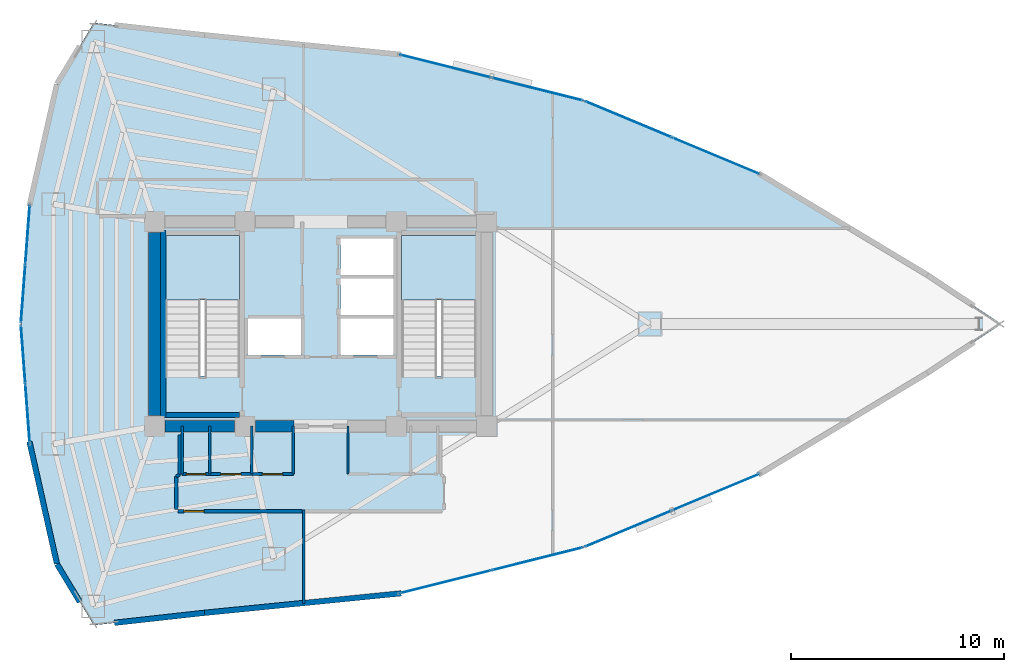
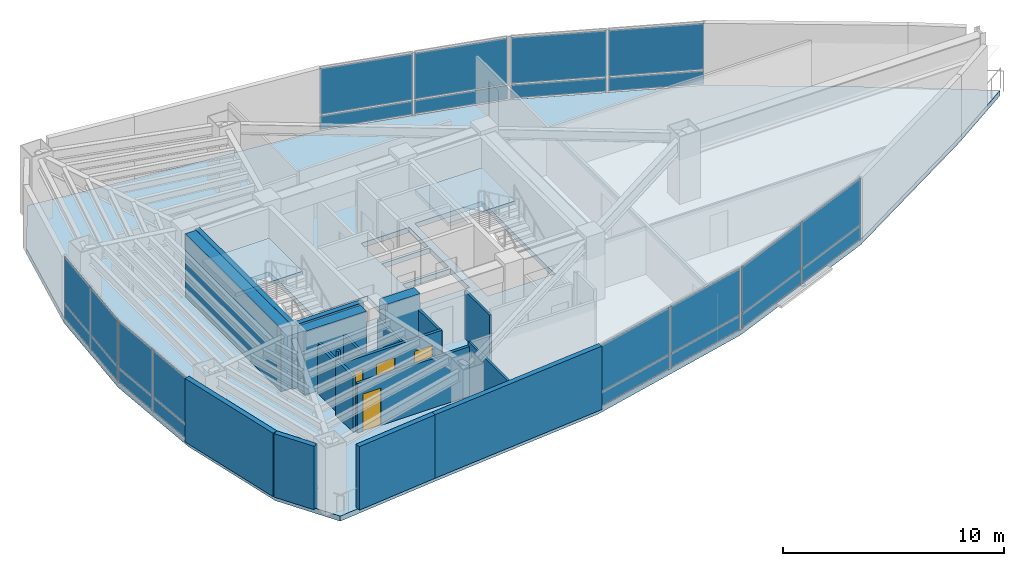
# One storey, part 13 of 17: 24 plates, 20 walls, 4 doors, 3 slabs, 4 openings, 8 elements without a shape of their own.
"""IFC4 building model written with IfcOpenShell, lengths in metres."""

from ifc_helpers import new_model, si_unit, direction, frame, frame_2d, origin, origin_2d, place, context, subcontext, project, spatial, polyline, rectangle, outline, extrude, material, layer, layer_set, type_object, element, fill, aggregate, save


model = new_model("IFC4")

# Units and contexts
model_context = context("Model", 3, precision=1e-05, world=origin(), true_north=direction((0.0, 1.0)))
body_context = subcontext(model_context, "Body", "Model", "MODEL_VIEW")
ifc_project = project(units=[si_unit("LENGTHUNIT", "METRE"), si_unit("AREAUNIT", "SQUARE_METRE"), si_unit("VOLUMEUNIT", "CUBIC_METRE"), si_unit("PLANEANGLEUNIT", "RADIAN"), si_unit("MASSUNIT", "GRAM", prefix="KILO")], contexts=[model_context])

# Site, building, storey
site_placement = place(None, origin())
site = spatial("IfcSite", under=ifc_project, at=site_placement, CompositionType="ELEMENT")
building_placement = place(site_placement, origin())
building = spatial("IfcBuilding", under=site, at=building_placement, Name="Menara Vayukalpa", CompositionType="ELEMENT")
storey_placement = place(building_placement, frame((0.0, 0.0, 154.320068359375)))
storey = spatial("IfcBuildingStorey", under=building, at=storey_placement, Name="L38", CompositionType="ELEMENT", Elevation=154.320068359375)

# Curtain wall, plates
ifc_material_1 = material(Name="Anodised Terracotta Aluminium Alloy 6063-T6", Category="masonry")
ifc_layer_1 = layer(ifc_material_1, 0.179931640625)
ifc_layer_set_1 = layer_set([ifc_layer_1], Name="Anodised Terracotta Aluminium Alloy 6063-T6")
curtain_wall_type = type_object("IfcCurtainWallType", Name="CW-CW4", PredefinedType="USERDEFINED", material=ifc_layer_set_1)
curtain_wall_1_placement = place(storey_placement, origin())
curtain_wall_1 = element("IfcCurtainWall", 1, at=curtain_wall_1_placement, inside=storey, type_object=curtain_wall_type, Name="L38 Sky Bar Cantilever Glazed Curtain Wall CW4 04", ObjectType="UNITISED", PredefinedType="USERDEFINED")
ifc_material_2 = material(Name="Low-E Double Glazing", Category="glass")
ifc_layer_2 = layer(ifc_material_2, 0.0380859375)
ifc_layer_set_2 = layer_set([ifc_layer_2], Name="Low-E Double Glazing")
plate_type = type_object("IfcPlateType", Name="CWP-CW4", PredefinedType="CURTAIN_PANEL", material=ifc_layer_set_2)
plate_1_placement = place(storey_placement, frame((44.1494140625, 29.8955078125, 0.06982421875), z_axis=(0.0, 0.0, 1.0), x_axis=(-0.922878459104, 0.385091352437, 0.0)))
plate_1 = element("IfcPlate", 2, at=plate_1_placement, type_object=plate_type, Name="CW4 panel 1.1", PredefinedType="CURTAIN_PANEL", context=body_context, shape_type="SweptSolid", body=[
    extrude(rectangle(XDim=4.369873046875, YDim=0.0380859375, at=origin_2d()), origin(), (0.0, 0.0, 1.0), 0.7451171875),
])
plate_2_placement = place(storey_placement, frame((44.1494140625, 29.8955078125, 0.885009765625), z_axis=(0.0, 0.0, 1.0), x_axis=(-0.922878459104, 0.385091352437, 0.0)))
plate_2 = element("IfcPlate", 3, at=plate_2_placement, type_object=plate_type, Name="CW4 panel 1.2", PredefinedType="CURTAIN_PANEL", context=body_context, shape_type="SweptSolid", body=[
    extrude(rectangle(XDim=4.369873046875, YDim=0.0380859375, at=origin_2d()), origin(), (0.0, 0.0, 1.0), 2.544921875),
])
plate_3_placement = place(storey_placement, frame((40.04736328125, 31.607421875, 0.06982421875), z_axis=(0.0, 0.0, 1.0), x_axis=(-0.922878459104, 0.385091352437, 0.0)))
plate_3 = element("IfcPlate", 4, at=plate_3_placement, type_object=plate_type, Name="CW4 panel 2.1", PredefinedType="CURTAIN_PANEL", context=body_context, shape_type="SweptSolid", body=[
    extrude(rectangle(XDim=4.369873046875, YDim=0.0380859375, at=origin_2d()), origin(), (0.0, 0.0, 1.0), 0.7451171875),
])
plate_4_placement = place(storey_placement, frame((40.04736328125, 31.607421875, 0.885009765625), z_axis=(0.0, 0.0, 1.0), x_axis=(-0.922878459104, 0.385091352437, 0.0)))
plate_4 = element("IfcPlate", 5, at=plate_4_placement, type_object=plate_type, Name="CW4 panel 2.2", PredefinedType="CURTAIN_PANEL", context=body_context, shape_type="SweptSolid", body=[
    extrude(rectangle(XDim=4.369873046875, YDim=0.0380859375, at=origin_2d()), origin(), (0.0, 0.0, 1.0), 2.544921875),
])
aggregate(curtain_wall_1, [plate_1, plate_2, plate_3, plate_4])

curtain_wall_2_placement = place(storey_placement, origin())
curtain_wall_2 = element("IfcCurtainWall", 6, at=curtain_wall_2_placement, inside=storey, type_object=curtain_wall_type, Name="L38 Sky Bar Cantilever Glazed Curtain Wall CW4 05", ObjectType="UNITISED", PredefinedType="USERDEFINED")
plate_5_placement = place(storey_placement, frame((35.76953125, 33.027099609375, 0.06982421875), z_axis=(0.0, 0.0, 1.0), x_axis=(-0.969997975566, 0.243112993066, 0.0)))
plate_5 = element("IfcPlate", 7, at=plate_5_placement, type_object=plate_type, Name="CW4 panel 1.1", PredefinedType="CURTAIN_PANEL", context=body_context, shape_type="SweptSolid", body=[
    extrude(rectangle(XDim=4.369873046875, YDim=0.0380859375, at=origin_2d()), origin(), (0.0, 0.0, 1.0), 0.7451171875),
])
plate_6_placement = place(storey_placement, frame((35.76953125, 33.027099609375, 0.885009765625), z_axis=(0.0, 0.0, 1.0), x_axis=(-0.969997975566, 0.243112993066, 0.0)))
plate_6 = element("IfcPlate", 8, at=plate_6_placement, type_object=plate_type, Name="CW4 panel 1.2", PredefinedType="CURTAIN_PANEL", context=body_context, shape_type="SweptSolid", body=[
    extrude(rectangle(XDim=4.369873046875, YDim=0.0380859375, at=origin_2d()), origin(), (0.0, 0.0, 1.0), 2.544921875),
])
plate_7_placement = place(storey_placement, frame((31.4580078125, 34.107666015625, 0.06982421875), z_axis=(0.0, 0.0, 1.0), x_axis=(-0.969997975566, 0.243112993066, 0.0)))
plate_7 = element("IfcPlate", 9, at=plate_7_placement, type_object=plate_type, Name="CW4 panel 2.1", PredefinedType="CURTAIN_PANEL", context=body_context, shape_type="SweptSolid", body=[
    extrude(rectangle(XDim=4.369873046875, YDim=0.0380859375, at=origin_2d()), origin(), (0.0, 0.0, 1.0), 0.7451171875),
])
plate_8_placement = place(storey_placement, frame((31.4580078125, 34.107666015625, 0.885009765625), z_axis=(0.0, 0.0, 1.0), x_axis=(-0.969997975566, 0.243112993066, 0.0)))
plate_8 = element("IfcPlate", 10, at=plate_8_placement, type_object=plate_type, Name="CW4 panel 2.2", PredefinedType="CURTAIN_PANEL", context=body_context, shape_type="SweptSolid", body=[
    extrude(rectangle(XDim=4.369873046875, YDim=0.0380859375, at=origin_2d()), origin(), (0.0, 0.0, 1.0), 2.544921875),
])
aggregate(curtain_wall_2, [plate_5, plate_6, plate_7, plate_8])

curtain_wall_3_placement = place(storey_placement, origin())
curtain_wall_3 = element("IfcCurtainWall", 11, at=curtain_wall_3_placement, inside=storey, type_object=curtain_wall_type, Name="L38 Sky Bar Cantilever Glazed Curtain Wall CW4 10", ObjectType="UNITISED", PredefinedType="USERDEFINED")
plate_9_placement = place(storey_placement, frame((11.842041015625, 26.205078125, 0.06982421875), z_axis=(0.0, 0.0, 1.0), x_axis=(-0.074792589364, -0.997199111801, 0.0)))
plate_9 = element("IfcPlate", 12, at=plate_9_placement, type_object=plate_type, Name="CW4 panel 1.1", PredefinedType="CURTAIN_PANEL", context=body_context, shape_type="SweptSolid", body=[
    extrude(rectangle(XDim=2.71142578125, YDim=0.0380859375, at=origin_2d()), origin(), (0.0, 0.0, 1.0), 0.7451171875),
])
plate_10_placement = place(storey_placement, frame((11.842041015625, 26.205078125, 0.885009765625), z_axis=(0.0, 0.0, 1.0), x_axis=(-0.074792589364, -0.997199111801, 0.0)))
plate_10 = element("IfcPlate", 13, at=plate_10_placement, type_object=plate_type, Name="CW4 panel 1.2", PredefinedType="CURTAIN_PANEL", context=body_context, shape_type="SweptSolid", body=[
    extrude(rectangle(XDim=2.71142578125, YDim=0.0380859375, at=origin_2d()), origin(), (0.0, 0.0, 1.0), 2.544921875),
])
plate_11_placement = place(storey_placement, frame((11.6337890625, 23.4267578125, 0.06982421875), z_axis=(0.0, 0.0, 1.0), x_axis=(-0.074792589364, -0.997199111801, 0.0)))
plate_11 = element("IfcPlate", 14, at=plate_11_placement, type_object=plate_type, Name="CW4 panel 2.1", PredefinedType="CURTAIN_PANEL", context=body_context, shape_type="SweptSolid", body=[
    extrude(rectangle(XDim=2.71142578125, YDim=0.0380859375, at=origin_2d()), origin(), (0.0, 0.0, 1.0), 0.7451171875),
])
plate_12_placement = place(storey_placement, frame((11.6337890625, 23.4267578125, 0.885009765625), z_axis=(0.0, 0.0, 1.0), x_axis=(-0.074792589364, -0.997199111801, 0.0)))
plate_12 = element("IfcPlate", 15, at=plate_12_placement, type_object=plate_type, Name="CW4 panel 2.2", PredefinedType="CURTAIN_PANEL", context=body_context, shape_type="SweptSolid", body=[
    extrude(rectangle(XDim=2.71142578125, YDim=0.0380859375, at=origin_2d()), origin(), (0.0, 0.0, 1.0), 2.544921875),
])
aggregate(curtain_wall_3, [plate_9, plate_10, plate_11, plate_12])

curtain_wall_4_placement = place(storey_placement, origin())
curtain_wall_4 = element("IfcCurtainWall", 16, at=curtain_wall_4_placement, inside=storey, type_object=curtain_wall_type, Name="L38 Sky Bar Cantilever Glazed Curtain Wall CW4 11", ObjectType="UNITISED", PredefinedType="USERDEFINED")
plate_13_placement = place(storey_placement, frame((11.6337890625, 20.5732421875, 0.06982421875), z_axis=(0.0, 0.0, 1.0), x_axis=(0.074792589364, -0.997199111801, 0.0)))
plate_13 = element("IfcPlate", 17, at=plate_13_placement, type_object=plate_type, Name="CW4 panel 1.1", PredefinedType="CURTAIN_PANEL", context=body_context, shape_type="SweptSolid", body=[
    extrude(rectangle(XDim=2.71142578125, YDim=0.0380859375, at=origin_2d()), origin(), (0.0, 0.0, 1.0), 0.7451171875),
])
plate_14_placement = place(storey_placement, frame((11.6337890625, 20.5732421875, 0.885009765625), z_axis=(0.0, 0.0, 1.0), x_axis=(0.074792589364, -0.997199111801, 0.0)))
plate_14 = element("IfcPlate", 18, at=plate_14_placement, type_object=plate_type, Name="CW4 panel 1.2", PredefinedType="CURTAIN_PANEL", context=body_context, shape_type="SweptSolid", body=[
    extrude(rectangle(XDim=2.71142578125, YDim=0.0380859375, at=origin_2d()), origin(), (0.0, 0.0, 1.0), 2.544921875),
])
plate_15_placement = place(storey_placement, frame((11.842041015625, 17.794921875, 0.06982421875), z_axis=(0.0, 0.0, 1.0), x_axis=(0.074792589364, -0.997199111801, 0.0)))
plate_15 = element("IfcPlate", 19, at=plate_15_placement, type_object=plate_type, Name="CW4 panel 2.1", PredefinedType="CURTAIN_PANEL", context=body_context, shape_type="SweptSolid", body=[
    extrude(rectangle(XDim=2.71142578125, YDim=0.0380859375, at=origin_2d()), origin(), (0.0, 0.0, 1.0), 0.7451171875),
])
plate_16_placement = place(storey_placement, frame((11.842041015625, 17.794921875, 0.885009765625), z_axis=(0.0, 0.0, 1.0), x_axis=(0.074792589364, -0.997199111801, 0.0)))
plate_16 = element("IfcPlate", 20, at=plate_16_placement, type_object=plate_type, Name="CW4 panel 2.2", PredefinedType="CURTAIN_PANEL", context=body_context, shape_type="SweptSolid", body=[
    extrude(rectangle(XDim=2.71142578125, YDim=0.0380859375, at=origin_2d()), origin(), (0.0, 0.0, 1.0), 2.544921875),
])
aggregate(curtain_wall_4, [plate_13, plate_14, plate_15, plate_16])

curtain_wall_5_placement = place(storey_placement, origin())
curtain_wall_5 = element("IfcCurtainWall", 21, at=curtain_wall_5_placement, inside=storey, type_object=curtain_wall_type, Name="L38 Sky Bar Cantilever Glazed Curtain Wall CW4 16", ObjectType="UNITISED", PredefinedType="USERDEFINED")
plate_17_placement = place(storey_placement, frame((31.4580078125, 9.892333984375, 0.06982421875), z_axis=(0.0, 0.0, 1.0), x_axis=(0.969997975566, 0.243112993066, 0.0)))
plate_17 = element("IfcPlate", 22, at=plate_17_placement, type_object=plate_type, Name="CW4 panel 1.1", PredefinedType="CURTAIN_PANEL", context=body_context, shape_type="SweptSolid", body=[
    extrude(rectangle(XDim=4.369873046875, YDim=0.0380859375, at=origin_2d()), origin(), (0.0, 0.0, 1.0), 0.7451171875),
])
plate_18_placement = place(storey_placement, frame((31.4580078125, 9.892333984375, 0.885009765625), z_axis=(0.0, 0.0, 1.0), x_axis=(0.969997975566, 0.243112993066, 0.0)))
plate_18 = element("IfcPlate", 23, at=plate_18_placement, type_object=plate_type, Name="CW4 panel 1.2", PredefinedType="CURTAIN_PANEL", context=body_context, shape_type="SweptSolid", body=[
    extrude(rectangle(XDim=4.369873046875, YDim=0.0380859375, at=origin_2d()), origin(), (0.0, 0.0, 1.0), 2.544921875),
])
plate_19_placement = place(storey_placement, frame((35.76953125, 10.972900390625, 0.06982421875), z_axis=(0.0, 0.0, 1.0), x_axis=(0.969997975566, 0.243112993066, 0.0)))
plate_19 = element("IfcPlate", 24, at=plate_19_placement, type_object=plate_type, Name="CW4 panel 2.1", PredefinedType="CURTAIN_PANEL", context=body_context, shape_type="SweptSolid", body=[
    extrude(rectangle(XDim=4.369873046875, YDim=0.0380859375, at=origin_2d()), origin(), (0.0, 0.0, 1.0), 0.7451171875),
])
plate_20_placement = place(storey_placement, frame((35.76953125, 10.972900390625, 0.885009765625), z_axis=(0.0, 0.0, 1.0), x_axis=(0.969997975566, 0.243112993066, 0.0)))
plate_20 = element("IfcPlate", 25, at=plate_20_placement, type_object=plate_type, Name="CW4 panel 2.2", PredefinedType="CURTAIN_PANEL", context=body_context, shape_type="SweptSolid", body=[
    extrude(rectangle(XDim=4.369873046875, YDim=0.0380859375, at=origin_2d()), origin(), (0.0, 0.0, 1.0), 2.544921875),
])
aggregate(curtain_wall_5, [plate_17, plate_18, plate_19, plate_20])

curtain_wall_6_placement = place(storey_placement, origin())
curtain_wall_6 = element("IfcCurtainWall", 26, at=curtain_wall_6_placement, inside=storey, type_object=curtain_wall_type, Name="L38 Sky Bar Cantilever Glazed Curtain Wall CW4 17", ObjectType="UNITISED", PredefinedType="USERDEFINED")
plate_21_placement = place(storey_placement, frame((40.04736328125, 12.392578125, 0.06982421875), z_axis=(0.0, 0.0, 1.0), x_axis=(0.922878459104, 0.385091352437, 0.0)))
plate_21 = element("IfcPlate", 27, at=plate_21_placement, type_object=plate_type, Name="CW4 panel 1.1", PredefinedType="CURTAIN_PANEL", context=body_context, shape_type="SweptSolid", body=[
    extrude(rectangle(XDim=4.369873046875, YDim=0.0380859375, at=origin_2d()), origin(), (0.0, 0.0, 1.0), 0.7451171875),
])
plate_22_placement = place(storey_placement, frame((40.04736328125, 12.392578125, 0.885009765625), z_axis=(0.0, 0.0, 1.0), x_axis=(0.922878459104, 0.385091352437, 0.0)))
plate_22 = element("IfcPlate", 28, at=plate_22_placement, type_object=plate_type, Name="CW4 panel 1.2", PredefinedType="CURTAIN_PANEL", context=body_context, shape_type="SweptSolid", body=[
    extrude(rectangle(XDim=4.369873046875, YDim=0.0380859375, at=origin_2d()), origin(), (0.0, 0.0, 1.0), 2.544921875),
])
plate_23_placement = place(storey_placement, frame((44.1494140625, 14.1044921875, 0.06982421875), z_axis=(0.0, 0.0, 1.0), x_axis=(0.922878459104, 0.385091352437, 0.0)))
plate_23 = element("IfcPlate", 29, at=plate_23_placement, type_object=plate_type, Name="CW4 panel 2.1", PredefinedType="CURTAIN_PANEL", context=body_context, shape_type="SweptSolid", body=[
    extrude(rectangle(XDim=4.369873046875, YDim=0.0380859375, at=origin_2d()), origin(), (0.0, 0.0, 1.0), 0.7451171875),
])
plate_24_placement = place(storey_placement, frame((44.1494140625, 14.1044921875, 0.885009765625), z_axis=(0.0, 0.0, 1.0), x_axis=(0.922878459104, 0.385091352437, 0.0)))
plate_24 = element("IfcPlate", 30, at=plate_24_placement, type_object=plate_type, Name="CW4 panel 2.2", PredefinedType="CURTAIN_PANEL", context=body_context, shape_type="SweptSolid", body=[
    extrude(rectangle(XDim=4.369873046875, YDim=0.0380859375, at=origin_2d()), origin(), (0.0, 0.0, 1.0), 2.544921875),
])
aggregate(curtain_wall_6, [plate_21, plate_22, plate_23, plate_24])

# Slab
ifc_material_3 = material(Name="Concrete C40/50", Category="concrete")
ifc_layer_3 = layer(ifc_material_3, 0.280029296875)
ifc_layer_set_3 = layer_set([ifc_layer_3], Name="Concrete C40/50")
slab_type_1 = type_object("IfcSlabType", Name="SLB-FL280", PredefinedType="FLOOR", material=ifc_layer_set_3)
slab_1_placement = place(storey_placement, frame((0.0, 0.0, -0.280029296875)))
element("IfcSlab", 31, at=slab_1_placement, inside=storey, type_object=slab_type_1, Name="L38 Sky Bar Structural Floor Slab", PredefinedType="FLOOR", context=body_context, shape_type="SweptSolid", body=[
    extrude(outline(polyline([(54.086181640625, 19.69970703125), (57.552001953125, 22.0), (54.086181640625, 24.30029296875), (46.235107421875, 29.025390625), (37.961669921875, 32.4775390625), (29.265625, 34.656982421875), (20.1474609375, 35.56396484375), (14.948974609375, 36.13916015625), (13.21630859375, 33.263671875), (11.94921875, 27.6318359375), (11.526611328125, 22.0), (11.94921875, 16.3681640625), (13.21630859375, 10.736328125), (14.948974609375, 7.86083984375), (20.1474609375, 8.43603515625), (29.265625, 9.343017578125), (37.961669921875, 11.5224609375), (46.235107421875, 14.974609375), (54.086181640625, 19.69970703125)]), holes=[polyline([(21.800048828125, 19.550048828125), (21.800048828125, 26.14990234375), (18.300048828125, 26.14990234375), (18.300048828125, 19.550048828125), (21.800048828125, 19.550048828125)]), polyline([(32.89990234375, 19.550048828125), (32.89990234375, 26.14990234375), (29.39990234375, 26.14990234375), (29.39990234375, 19.550048828125), (32.89990234375, 19.550048828125)]), polyline([(22.179931640625, 20.550048828125), (24.679931640625, 20.550048828125), (24.679931640625, 22.27001953125), (22.179931640625, 22.27001953125), (22.179931640625, 20.550048828125)]), polyline([(26.52001953125, 20.550048828125), (29.02001953125, 20.550048828125), (29.02001953125, 22.27001953125), (26.52001953125, 22.27001953125), (26.52001953125, 20.550048828125)]), polyline([(26.52001953125, 24.2900390625), (29.02001953125, 24.2900390625), (29.02001953125, 26.010009765625), (26.52001953125, 26.010009765625), (26.52001953125, 24.2900390625)]), polyline([(26.52001953125, 22.419921875), (29.02001953125, 22.419921875), (29.02001953125, 24.139892578125), (26.52001953125, 24.139892578125), (26.52001953125, 22.419921875)])]), origin(), (0.0, 0.0, 1.0), 0.280029296875),
])

# Stair, slab
ifc_material_4 = material(Name="Precast Concrete C40/50", Category="concrete")
stair_type = type_object("IfcStairType", Name="STR-T04", PredefinedType="DOUBLE_RETURN_STAIR", material=ifc_material_4)
stair_1_placement = place(storey_placement, origin())
stair_1 = element("IfcStair", 32, at=stair_1_placement, inside=storey, type_object=stair_type, Name="L38 Core Exit Stair ST-1", PredefinedType="DOUBLE_RETURN_STAIR")
ifc_material_5 = material(Name="Precast Concrete C40/50", Category="concrete")
ifc_layer_4 = layer(ifc_material_5, 0.199951171875)
ifc_layer_set_4 = layer_set([ifc_layer_4], Name="Precast Concrete C40/50")
slab_type_2 = type_object("IfcSlabType", Name="SLB-LND200", PredefinedType="LANDING", material=ifc_layer_set_4)
slab_2_placement = place(storey_placement, frame((0.0, 0.0, 1.659912109375)))
slab_2 = element("IfcSlab", 33, at=slab_2_placement, type_object=slab_type_2, Name="ST-1 landing 1", PredefinedType="LANDING", context=body_context, shape_type="SweptSolid", body=[
    extrude(outline(polyline([(21.800048828125, 23.1298828125), (21.800048828125, 26.14990234375), (18.300048828125, 26.14990234375), (18.300048828125, 23.1298828125), (21.800048828125, 23.1298828125)])), origin(), (0.0, 0.0, 1.0), 0.199951171875),
])
aggregate(stair_1, [slab_2])

stair_2_placement = place(storey_placement, origin())
stair_2 = element("IfcStair", 34, at=stair_2_placement, inside=storey, type_object=stair_type, Name="L38 Core Exit Stair ST-2", PredefinedType="DOUBLE_RETURN_STAIR")
slab_3_placement = place(storey_placement, frame((0.0, 0.0, 1.659912109375)))
slab_3 = element("IfcSlab", 35, at=slab_3_placement, type_object=slab_type_2, Name="ST-2 landing 1", PredefinedType="LANDING", context=body_context, shape_type="SweptSolid", body=[
    extrude(outline(polyline([(32.89990234375, 23.1298828125), (32.89990234375, 26.14990234375), (29.39990234375, 26.14990234375), (29.39990234375, 23.1298828125), (32.89990234375, 23.1298828125)])), origin(), (0.0, 0.0, 1.0), 0.199951171875),
])
aggregate(stair_2, [slab_3])

# Walls
ifc_material_6 = material(Name="Concrete C60/75", Category="concrete")
ifc_layer_5 = layer(ifc_material_6, 0.550048828125)
ifc_layer_set_5 = layer_set([ifc_layer_5], Name="Concrete C60/75")
wall_type_1 = type_object("IfcWallType", Name="WAL-CW550", PredefinedType="SHEAR", material=ifc_layer_set_5)
wall_1_placement = place(storey_placement, frame((18.294921875, 17.199951171875, 0.0), z_axis=(0.0, 0.0, 1.0), x_axis=(1.0, 0.0, 0.0)))
element("IfcWall", 36, at=wall_1_placement, inside=storey, type_object=wall_type_1, Name="L38 Buttressed Core Shear Wall CWS1", PredefinedType="SHEAR", context=body_context, shape_type="SweptSolid", body=[
    extrude(rectangle(XDim=3.260009765625, YDim=0.550048828125, at=frame_2d((1.6298828125, 0.0))), origin(), (0.0, 0.0, 1.0), 3.5),
])
wall_2_placement = place(storey_placement, frame((22.544921875, 17.199951171875, 0.0), z_axis=(0.0, 0.0, 1.0), x_axis=(1.0, 0.0, 0.0)))
element("IfcWall", 37, at=wall_2_placement, inside=storey, type_object=wall_type_1, Name="L38 Buttressed Core Shear Wall CWS2", PredefinedType="SHEAR", context=body_context, shape_type="SweptSolid", body=[
    extrude(rectangle(XDim=1.80517578125, YDim=0.550048828125, at=frame_2d((0.902587890625, 0.0))), origin(), (0.0, 0.0, 1.0), 3.5),
])
wall_3_placement = place(storey_placement, frame((17.800048828125, 17.695068359375, 0.0), z_axis=(0.0, 0.0, 1.0), x_axis=(0.0, 1.0, 0.0)))
element("IfcWall", 38, at=wall_3_placement, inside=storey, type_object=wall_type_1, Name="L38 Buttressed Core Shear Wall CWW1", PredefinedType="SHEAR", context=body_context, shape_type="SweptSolid", body=[
    extrude(rectangle(XDim=8.60986328125, YDim=0.550048828125, at=frame_2d((4.304931640625, 0.0))), origin(), (0.0, 0.0, 1.0), 3.5),
])
ifc_material_7 = material(Name="Insulated Precast Concrete C40/50", Category="concrete")
ifc_layer_6 = layer(ifc_material_7, 0.260009765625)
ifc_layer_set_6 = layer_set([ifc_layer_6], Name="Insulated Precast Concrete C40/50")
wall_type_2 = type_object("IfcWallType", Name="WAL-EXT260", PredefinedType="PARTITIONING", material=ifc_layer_set_6)
wall_4_placement = place(storey_placement, frame((13.214111328125, 10.745849609375, 0.0), z_axis=(0.0, 0.0, 1.0), x_axis=(-0.219491422264, 0.975614429758, 0.0)))
element("IfcWall", 39, at=wall_4_placement, inside=storey, type_object=wall_type_2, Name="L38 Perimeter Terracotta Pier Wall 12", PredefinedType="PARTITIONING", context=body_context, shape_type="SweptSolid", body=[
    extrude(rectangle(XDim=5.873046875, YDim=0.260009765625, at=frame_2d((2.9365234375, 0.0))), origin(), (0.0, 0.0, 1.0), 3.5),
])
wall_5_placement = place(storey_placement, frame((14.291259765625, 8.9521484375, 0.0), z_axis=(0.0, 0.0, 1.0), x_axis=(-0.516157331647, 0.856493788061, 0.0)))
element("IfcWall", 40, at=wall_5_placement, inside=storey, type_object=wall_type_2, Name="L38 Perimeter Terracotta Pier Wall 13", PredefinedType="PARTITIONING", context=body_context, shape_type="SweptSolid", body=[
    extrude(rectangle(XDim=2.0732421875, YDim=0.260009765625, at=frame_2d((1.03662109375, 0.0))), origin(), (0.0, 0.0, 1.0), 3.5),
])
wall_6_placement = place(storey_placement, frame((20.1533203125, 8.436767578125, 0.0), z_axis=(0.0, 0.0, 1.0), x_axis=(-0.993933978819, -0.109978387641, 0.0)))
element("IfcWall", 41, at=wall_6_placement, inside=storey, type_object=wall_type_2, Name="L38 Perimeter Terracotta Pier Wall 14", PredefinedType="PARTITIONING", context=body_context, shape_type="SweptSolid", body=[
    extrude(rectangle(XDim=4.2578125, YDim=0.260009765625, at=frame_2d((2.12890625, 0.0))), origin(), (0.0, 0.0, 1.0), 3.5),
])
wall_7_placement = place(storey_placement, frame((29.375244140625, 9.353759765625, 0.0), z_axis=(0.0, 0.0, 1.0), x_axis=(-0.9950896707, -0.098977508888, 0.0)))
element("IfcWall", 42, at=wall_7_placement, inside=storey, type_object=wall_type_2, Name="L38 Perimeter Terracotta Pier Wall 15", PredefinedType="PARTITIONING", context=body_context, shape_type="SweptSolid", body=[
    extrude(rectangle(XDim=9.279541015625, YDim=0.260009765625, at=frame_2d((4.6396484375, 0.0))), origin(), (0.0, 0.0, 1.0), 3.5),
])
ifc_material_8 = material(Name="Acoustic Mineral Stud Partition", Category="masonry")
ifc_layer_7 = layer(ifc_material_8, 0.110107421875)
ifc_layer_set_7 = layer_set([ifc_layer_7], Name="Acoustic Mineral Stud Partition")
wall_type_3 = type_object("IfcWallType", Name="WAL-PT110", PredefinedType="PARTITIONING", material=ifc_layer_set_7)
for number, where, z_axis, x_axis, name in (
    (43, (20.39990234375, 14.949951171875, 0.0), (0.0, 0.0, 1.0), (0.0, 1.0, 0.0), "L38 Interior Partition IW-L38-SVCD-02"),
    (44, (26.8798828125, 14.949951171875, 0.0), (0.0, 0.0, 1.0), (0.0, 1.0, 0.0), "L38 Interior Partition IW-L38-SVCD-05"),
):
    element("IfcWall", number, at=place(storey_placement, frame(where, z_axis=z_axis, x_axis=x_axis)), inside=storey, type_object=wall_type_3, Name=name, PredefinedType="PARTITIONING", context=body_context, shape_type="SweptSolid", body=[
        extrude(rectangle(XDim=2.25, YDim=0.110107421875, at=frame_2d((1.125, 0.0))), origin(), (0.0, 0.0, 1.0), 2.6298828125),
    ])
wall_8_placement = place(storey_placement, frame((24.800048828125, 8.888671875, 0.0), z_axis=(0.0, 0.0, 1.0), x_axis=(0.0, 1.0, 0.0)))
element("IfcWall", 45, at=wall_8_placement, inside=storey, type_object=wall_type_3, Name="L38 Interior Partition IW-L38-RDIV01", PredefinedType="PARTITIONING", context=body_context, shape_type="SweptSolid", body=[
    extrude(rectangle(XDim=4.371337890625, YDim=0.110107421875, at=frame_2d((2.185546875, 0.0))), origin(), (0.0, 0.0, 1.0), 2.929931640625),
])
ifc_material_9 = material(Name="Gypsum Drywall Steel Stud Assembly", Category="steel")
ifc_layer_8 = layer(ifc_material_9, 0.125)
ifc_layer_set_8 = layer_set([ifc_layer_8], Name="Gypsum Drywall Steel Stud Assembly")
wall_type_4 = type_object("IfcWallType", Name="WAL-PT125", PredefinedType="PARTITIONING", material=ifc_layer_set_8)
for number, where, z_axis, x_axis, name in (
    (46, (19.10009765625, 14.949951171875, 0.0), (0.0, 0.0, 1.0), (0.0, 1.0, 0.0), "L38 Interior Partition IW-L38-SVCD-01"),
    (47, (22.360107421875, 14.949951171875, 0.0), (0.0, 0.0, 1.0), (0.0, 1.0, 0.0), "L38 Interior Partition IW-L38-SVCD-03"),
    (48, (24.320068359375, 14.949951171875, 0.0), (0.0, 0.0, 1.0), (0.0, 1.0, 0.0), "L38 Interior Partition IW-L38-SVCD-04"),
):
    element("IfcWall", number, at=place(storey_placement, frame(where, z_axis=z_axis, x_axis=x_axis)), inside=storey, type_object=wall_type_4, Name=name, PredefinedType="PARTITIONING", context=body_context, shape_type="SweptSolid", body=[
        extrude(rectangle(XDim=2.25, YDim=0.125, at=frame_2d((1.125, 0.0))), origin(), (0.0, 0.0, 1.0), 2.6298828125),
    ])

# Wall, openings, doors
ifc_material_10 = material(Name="Gypsum Drywall Acoustic Stud Assembly", Category="masonry")
ifc_layer_9 = layer(ifc_material_10, 0.14501953125)
ifc_layer_set_9 = layer_set([ifc_layer_9], Name="Gypsum Drywall Acoustic Stud Assembly")
wall_type_5 = type_object("IfcWallType", Name="WAL-PT150", PredefinedType="PARTITIONING", material=ifc_layer_set_9)
wall_9_placement = place(storey_placement, frame((19.10009765625, 14.949951171875, 0.0), z_axis=(0.0, 0.0, 1.0), x_axis=(1.0, 0.0, 0.0)))
wall_9 = element("IfcWall", 49, at=wall_9_placement, inside=storey, type_object=wall_type_5, Name="L38 Interior Partition IW-L38-SVCS-W", PredefinedType="PARTITIONING", context=body_context, shape_type="SweptSolid", body=[
    extrude(rectangle(XDim=5.219970703125, YDim=0.14501953125, at=frame_2d((2.60986328125, 0.0))), origin(), (0.0, 0.0, 1.0), 2.72998046875),
])
opening_1_placement = place(wall_9_placement, frame((0.199951171875, 0.0, 0.0)))
opening_1 = element("IfcOpeningElement", 50, at=opening_1_placement, cuts=wall_9, Name="Opening ID7", PredefinedType="OPENING", context=body_context, shape_type="SweptSolid", body=[
    extrude(rectangle(XDim=0.89990234375, YDim=2.02001953125, at=frame_2d((0.449951171875, 1.010009765625))), frame((0.0, 0.08251953125, 0.0), z_axis=(0.0, -1.0, 0.0), x_axis=(1.0, 0.0, 0.0)), (0.0, 0.0, 1.0), 0.1650390625),
])
opening_2_placement = place(wall_9_placement, frame((1.804931640625, 0.0, 0.0)))
opening_2 = element("IfcOpeningElement", 51, at=opening_2_placement, cuts=wall_9, Name="Opening ID5", PredefinedType="OPENING", context=body_context, shape_type="SweptSolid", body=[
    extrude(rectangle(XDim=0.949951171875, YDim=2.06005859375, at=frame_2d((0.47509765625, 1.030029296875))), frame((0.0, 0.08251953125, 0.0), z_axis=(0.0, -1.0, 0.0), x_axis=(1.0, 0.0, 0.0)), (0.0, 0.0, 1.0), 0.1650390625),
])
opening_3_placement = place(wall_9_placement, frame((3.764892578125, 0.0, 0.0)))
opening_3 = element("IfcOpeningElement", 52, at=opening_3_placement, cuts=wall_9, Name="Opening ID5", PredefinedType="OPENING", context=body_context, shape_type="SweptSolid", body=[
    extrude(rectangle(XDim=0.949951171875, YDim=2.06005859375, at=frame_2d((0.47509765625, 1.030029296875))), frame((0.0, 0.08251953125, 0.0), z_axis=(0.0, -1.0, 0.0), x_axis=(1.0, 0.0, 0.0)), (0.0, 0.0, 1.0), 0.1650390625),
])
ifc_material_11 = material(Name="Acoustic Hardwood Veneer Timber Door", Category="wood")
door_type_1 = type_object("IfcDoorType", Name="DR-INT95", OperationType="NOTDEFINED", PredefinedType="DOOR", material=ifc_material_11)
door_1_placement = place(opening_2_placement, origin())
door_1 = element("IfcDoor", 53, at=door_1_placement, inside=storey, type_object=door_type_1, Name="L38 Interior Door DR-L38-AWC", OperationType="SINGLE_SWING_RIGHT", OverallHeight=2.06005859375, OverallWidth=0.949951171875, PredefinedType="DOOR", context=body_context, shape_type="SweptSolid", body=[
    extrude(rectangle(XDim=0.949951171875, YDim=2.06005859375, at=frame_2d((0.47509765625, 1.030029296875))), frame((0.0, 0.02490234375, 0.0), z_axis=(0.0, -1.0, 0.0), x_axis=(1.0, 0.0, 0.0)), (0.0, 0.0, 1.0), 0.050048828125),
])
fill(opening_2, door_1)
door_2_placement = place(opening_3_placement, origin())
door_2 = element("IfcDoor", 54, at=door_2_placement, inside=storey, type_object=door_type_1, Name="L38 Interior Door DR-L38-SWC", OperationType="SINGLE_SWING_LEFT", OverallHeight=2.06005859375, OverallWidth=0.949951171875, PredefinedType="DOOR", context=body_context, shape_type="SweptSolid", body=[
    extrude(rectangle(XDim=0.949951171875, YDim=2.06005859375, at=frame_2d((0.47509765625, 1.030029296875))), frame((0.0, 0.02490234375, 0.0), z_axis=(0.0, -1.0, 0.0), x_axis=(1.0, 0.0, 0.0)), (0.0, 0.0, 1.0), 0.050048828125),
])
fill(opening_3, door_2)
ifc_material_12 = material(Name="Powder-Coated Steel Riser Access Door", Category="steel")
door_type_2 = type_object("IfcDoorType", Name="DR-RISER", OperationType="NOTDEFINED", PredefinedType="DOOR", material=ifc_material_12)
door_3_placement = place(opening_1_placement, origin())
door_3 = element("IfcDoor", 55, at=door_3_placement, inside=storey, type_object=door_type_2, Name="L38 Interior Door DR-L38-ELR", OperationType="SINGLE_SWING_LEFT", OverallHeight=2.02001953125, OverallWidth=0.89990234375, PredefinedType="DOOR", context=body_context, shape_type="SweptSolid", body=[
    extrude(rectangle(XDim=0.89990234375, YDim=2.02001953125, at=frame_2d((0.449951171875, 1.010009765625))), frame((0.0, 0.02490234375, 0.0), z_axis=(0.0, -1.0, 0.0), x_axis=(1.0, 0.0, 0.0)), (0.0, 0.0, 1.0), 0.050048828125),
])
fill(opening_1, door_3)

# Walls
wall_10_placement = place(storey_placement, frame((18.97998046875, 16.780029296875, 0.0), z_axis=(0.0, 0.0, 1.0), x_axis=(0.0, -1.0, 0.0)))
element("IfcWall", 56, at=wall_10_placement, inside=storey, type_object=wall_type_5, Name="L38 Interior Partition IW-L38-CRM07-4", PredefinedType="PARTITIONING", context=body_context, shape_type="SweptSolid", body=[
    extrude(rectangle(XDim=1.85009765625, YDim=0.14501953125, at=frame_2d((0.925048828125, 0.0))), origin(), (0.0, 0.0, 1.0), 2.6298828125),
])
wall_11_placement = place(storey_placement, frame((18.820068359375, 14.85009765625, 0.0), z_axis=(0.0, 0.0, 1.0), x_axis=(0.0, -1.0, 0.0)))
element("IfcWall", 57, at=wall_11_placement, inside=storey, type_object=wall_type_5, Name="L38 Interior Partition IW-L38-CRM07-5", PredefinedType="PARTITIONING", context=body_context, shape_type="SweptSolid", body=[
    extrude(rectangle(XDim=1.56005859375, YDim=0.14501953125, at=frame_2d((0.780029296875, 0.0))), origin(), (0.0, 0.0, 1.0), 3.079833984375),
])

# Wall, opening, door
wall_12_placement = place(storey_placement, frame((18.89990234375, 13.2099609375, 0.0), z_axis=(0.0, 0.0, 1.0), x_axis=(1.0, 0.0, 0.0)))
wall_12 = element("IfcWall", 58, at=wall_12_placement, inside=storey, type_object=wall_type_5, Name="L38 Interior Partition IW-L38-CRM07-6", PredefinedType="PARTITIONING", context=body_context, shape_type="SweptSolid", body=[
    extrude(rectangle(XDim=5.830078125, YDim=0.14501953125, at=frame_2d((2.9150390625, 0.0))), origin(), (0.0, 0.0, 1.0), 2.72998046875),
])
opening_4_placement = place(wall_12_placement, frame((0.280029296875, 0.0, 0.0)))
opening_4 = element("IfcOpeningElement", 59, at=opening_4_placement, cuts=wall_12, Name="Opening ID5", PredefinedType="OPENING", context=body_context, shape_type="SweptSolid", body=[
    extrude(rectangle(XDim=0.949951171875, YDim=2.06005859375, at=frame_2d((0.47509765625, 1.030029296875))), frame((0.0, 0.08251953125, 0.0), z_axis=(0.0, -1.0, 0.0), x_axis=(1.0, 0.0, 0.0)), (0.0, 0.0, 1.0), 0.1650390625),
])
door_4_placement = place(opening_4_placement, origin())
door_4 = element("IfcDoor", 60, at=door_4_placement, inside=storey, type_object=door_type_1, Name="L38 Interior Door DR-L38-RM07", OperationType="SINGLE_SWING_RIGHT", OverallHeight=2.06005859375, OverallWidth=0.949951171875, PredefinedType="DOOR", context=body_context, shape_type="SweptSolid", body=[
    extrude(rectangle(XDim=0.949951171875, YDim=2.06005859375, at=frame_2d((0.47509765625, 1.030029296875))), frame((0.0, 0.02490234375, 0.0), z_axis=(0.0, -1.0, 0.0), x_axis=(1.0, 0.0, 0.0)), (0.0, 0.0, 1.0), 0.050048828125),
])
fill(opening_4, door_4)

# Walls
wall_13_placement = place(storey_placement, frame((18.820068359375, 14.85009765625, 0.0), z_axis=(0.0, 0.0, 1.0), x_axis=(0.89470021502, 0.446667130247, 0.0)))
element("IfcWall", 61, at=wall_13_placement, inside=storey, type_object=wall_type_5, Name="L38 Interior Partition IW-L38-CRM07-5-R0", PredefinedType="PARTITIONING", context=body_context, shape_type="SweptSolid", body=[
    extrude(rectangle(XDim=0.1787109375, YDim=0.14501953125, at=frame_2d((0.08935546875, 0.0))), origin(), (0.0, 0.0, 1.0), 3.5),
])
ifc_material_13 = material(Name="Concrete C50/60", Category="concrete")
ifc_layer_10 = layer(ifc_material_13, 0.25)
ifc_layer_set_10 = layer_set([ifc_layer_10], Name="Concrete C50/60")
wall_type_6 = type_object("IfcWallType", Name="WAL-SW250", PredefinedType="SHEAR", material=ifc_layer_set_10)
wall_14_placement = place(storey_placement, frame((18.2041015625, 17.60009765625, 0.0), z_axis=(0.0, 0.0, 1.0), x_axis=(0.0, 1.0, 0.0)))
element("IfcWall", 62, at=wall_14_placement, inside=storey, type_object=wall_type_6, Name="L38 ST1 Structural Stair Shaft Wall W", PredefinedType="SHEAR", context=body_context, shape_type="SweptSolid", body=[
    extrude(rectangle(XDim=8.7998046875, YDim=0.25, at=frame_2d((4.39990234375, 0.0))), origin(), (0.0, 0.0, 1.0), 3.5),
])
wall_15_placement = place(storey_placement, frame((18.3291015625, 17.72509765625, 0.0), z_axis=(0.0, 0.0, 1.0), x_axis=(1.0, 0.0, 0.0)))
element("IfcWall", 63, at=wall_15_placement, inside=storey, type_object=wall_type_6, Name="L38 ST1 Structural Stair Shaft Wall S", PredefinedType="SHEAR", context=body_context, shape_type="SweptSolid", body=[
    extrude(rectangle(XDim=3.470947265625, YDim=0.25, at=frame_2d((1.7353515625, 0.0))), origin(), (0.0, 0.0, 1.0), 3.5),
])

save(model, "model.ifc")
